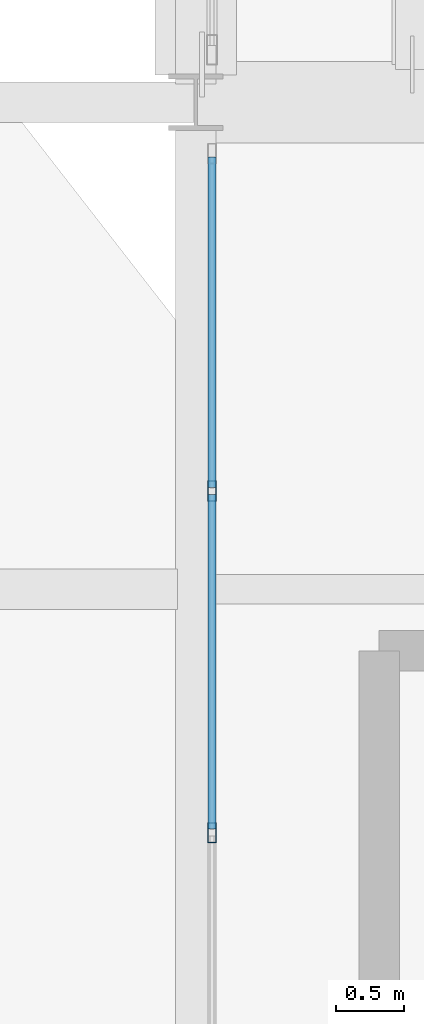
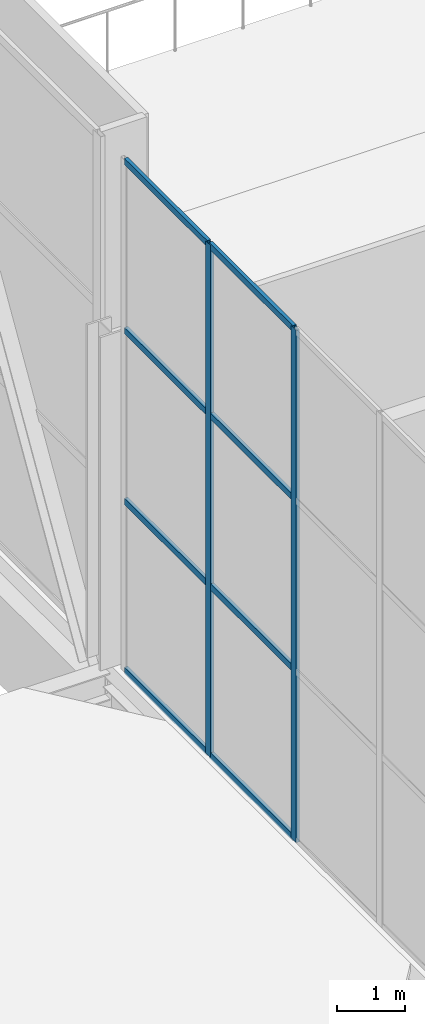
# One storey, part 28 of 191: 10 members, 1 element without a shape of its own.
"""IFC4 building model written with IfcOpenShell, lengths in metres."""

from ifc_helpers import new_model, si_unit, direction, frame, origin, origin_2d, place, context, subcontext, project, spatial, hollow_rectangle, extrude, material, layer, layer_set, material_profile, profile_set, type_object, element, aggregate, save


model = new_model("IFC4")

# Units and contexts
model_context = context("Model", 3, precision=1e-05, world=origin(), true_north=direction((0.0, 1.0)))
body_context = subcontext(model_context, "Body", "Model", "MODEL_VIEW")
ifc_project = project(units=[si_unit("LENGTHUNIT", "METRE"), si_unit("AREAUNIT", "SQUARE_METRE"), si_unit("VOLUMEUNIT", "CUBIC_METRE"), si_unit("PLANEANGLEUNIT", "RADIAN"), si_unit("MASSUNIT", "GRAM", prefix="KILO")], contexts=[model_context])

# Site, building, storey
site_placement = place(None, origin())
site = spatial("IfcSite", under=ifc_project, at=site_placement, CompositionType="ELEMENT")
building_placement = place(site_placement, origin())
building = spatial("IfcBuilding", under=site, at=building_placement, Name="Tamarisk Ironworks Central Station", CompositionType="ELEMENT")
storey_placement = place(building_placement, frame((0.0, 0.0, 6.60009765625)))
storey = spatial("IfcBuildingStorey", under=building, at=storey_placement, Name="L01", CompositionType="ELEMENT", Elevation=6.60009765625)

# Curtain wall, members
ifc_material = material(Name="Anodized aluminium alloy 6063-T6", Category="aluminium")
ifc_layer = layer(ifc_material, 0.179931640625)
ifc_layer_set = layer_set([ifc_layer], Name="Anodized aluminium alloy 6063-T6")
curtain_wall_type = type_object("IfcCurtainWallType", Name="CW-05", PredefinedType="USERDEFINED", material=ifc_layer_set)
curtain_wall_placement = place(storey_placement, origin())
curtain_wall = element("IfcCurtainWall", 1, at=curtain_wall_placement, inside=storey, type_object=curtain_wall_type, Name="Concourse W track-overlook curtain wall 01", ObjectType="GLAZED CURTAIN WALL", PredefinedType="USERDEFINED")
ifc_material_profile_1 = material_profile(ifc_material, hollow_rectangle(XDim=0.06005859375, YDim=0.14990234375, WallThickness=0.00341796875, at=origin_2d()), Name="ALUM 150x60")
ifc_profile_set_1 = profile_set([ifc_material_profile_1], Name="Anodized aluminium alloy 6063-T6")
member_type_1 = type_object("IfcMemberType", Name="CWM-03", PredefinedType="MULLION", material=ifc_profile_set_1)
member_1_placement = place(storey_placement, frame((54.1201171875, 16.199951171875, 0.0), z_axis=(0.0, 0.0, 1.0), x_axis=(-1.0, 0.0, 0.0)))
member_1 = element("IfcMember", 2, at=member_1_placement, type_object=member_type_1, Name="CW05 mullion 3", PredefinedType="MULLION", context=body_context, shape_type="SweptSolid", body=[
    extrude(hollow_rectangle(XDim=0.06005859375, YDim=0.14990234375, WallThickness=0.00341796875, at=origin_2d()), origin(), (0.0, 0.0, 1.0), 9.219970703125),
])
member_2_placement = place(storey_placement, frame((54.1201171875, 18.72509765625, 0.0), z_axis=(0.0, 0.0, 1.0), x_axis=(-1.0, 0.0, 0.0)))
member_2 = element("IfcMember", 3, at=member_2_placement, type_object=member_type_1, Name="CW05 mullion 4", PredefinedType="MULLION", context=body_context, shape_type="SweptSolid", body=[
    extrude(hollow_rectangle(XDim=0.06005859375, YDim=0.14990234375, WallThickness=0.00341796875, at=origin_2d()), origin(), (0.0, 0.0, 1.0), 9.219970703125),
])
ifc_material_profile_2 = material_profile(ifc_material, hollow_rectangle(XDim=0.06005859375, YDim=0.114990234375, WallThickness=0.00341796875, at=origin_2d()), Name="ALUM 115x60")
ifc_profile_set_2 = profile_set([ifc_material_profile_2], Name="Anodized aluminium alloy 6063-T6")
member_type_2 = type_object("IfcMemberType", Name="CWT-03", PredefinedType="USERDEFINED", material=ifc_profile_set_2)
member_3_placement = place(storey_placement, frame((54.1201171875, 16.22607421875, 0.02978515625), z_axis=(0.0, 1.0, 0.0), x_axis=(-1.0, 0.0, 0.0)))
member_3 = element("IfcMember", 4, at=member_3_placement, type_object=member_type_2, Name="CW05 transom 3.1", ObjectType="TRANSOM", PredefinedType="USERDEFINED", context=body_context, shape_type="SweptSolid", body=[
    extrude(hollow_rectangle(XDim=0.06005859375, YDim=0.114990234375, WallThickness=0.00341796875, at=origin_2d()), origin(), (0.0, 0.0, 1.0), 2.472900390625),
])
member_4_placement = place(storey_placement, frame((54.1201171875, 16.22607421875, 3.0732421875), z_axis=(0.0, 1.0, 0.0), x_axis=(-1.0, 0.0, 0.0)))
member_4 = element("IfcMember", 5, at=member_4_placement, type_object=member_type_2, Name="CW05 transom 3.2", ObjectType="TRANSOM", PredefinedType="USERDEFINED", context=body_context, shape_type="SweptSolid", body=[
    extrude(hollow_rectangle(XDim=0.06005859375, YDim=0.114990234375, WallThickness=0.00341796875, at=origin_2d()), origin(), (0.0, 0.0, 1.0), 2.472900390625),
])
member_5_placement = place(storey_placement, frame((54.1201171875, 16.22607421875, 6.146484375), z_axis=(0.0, 1.0, 0.0), x_axis=(-1.0, 0.0, 0.0)))
member_5 = element("IfcMember", 6, at=member_5_placement, type_object=member_type_2, Name="CW05 transom 3.3", ObjectType="TRANSOM", PredefinedType="USERDEFINED", context=body_context, shape_type="SweptSolid", body=[
    extrude(hollow_rectangle(XDim=0.06005859375, YDim=0.114990234375, WallThickness=0.00341796875, at=origin_2d()), origin(), (0.0, 0.0, 1.0), 2.472900390625),
])
member_6_placement = place(storey_placement, frame((54.1201171875, 16.22607421875, 9.18994140625), z_axis=(0.0, 1.0, 0.0), x_axis=(-1.0, 0.0, 0.0)))
member_6 = element("IfcMember", 7, at=member_6_placement, type_object=member_type_2, Name="CW05 transom 3.4", ObjectType="TRANSOM", PredefinedType="USERDEFINED", context=body_context, shape_type="SweptSolid", body=[
    extrude(hollow_rectangle(XDim=0.06005859375, YDim=0.114990234375, WallThickness=0.00341796875, at=origin_2d()), origin(), (0.0, 0.0, 1.0), 2.472900390625),
])
member_7_placement = place(storey_placement, frame((54.1201171875, 18.7509765625, 0.02978515625), z_axis=(0.0, 1.0, 0.0), x_axis=(-1.0, 0.0, 0.0)))
member_7 = element("IfcMember", 8, at=member_7_placement, type_object=member_type_2, Name="CW05 transom 4.1", ObjectType="TRANSOM", PredefinedType="USERDEFINED", context=body_context, shape_type="SweptSolid", body=[
    extrude(hollow_rectangle(XDim=0.06005859375, YDim=0.114990234375, WallThickness=0.00341796875, at=origin_2d()), origin(), (0.0, 0.0, 1.0), 2.443115234375),
])
member_8_placement = place(storey_placement, frame((54.1201171875, 18.7509765625, 3.0732421875), z_axis=(0.0, 1.0, 0.0), x_axis=(-1.0, 0.0, 0.0)))
member_8 = element("IfcMember", 9, at=member_8_placement, type_object=member_type_2, Name="CW05 transom 4.2", ObjectType="TRANSOM", PredefinedType="USERDEFINED", context=body_context, shape_type="SweptSolid", body=[
    extrude(hollow_rectangle(XDim=0.06005859375, YDim=0.114990234375, WallThickness=0.00341796875, at=origin_2d()), origin(), (0.0, 0.0, 1.0), 2.443115234375),
])
member_9_placement = place(storey_placement, frame((54.1201171875, 18.7509765625, 6.146484375), z_axis=(0.0, 1.0, 0.0), x_axis=(-1.0, 0.0, 0.0)))
member_9 = element("IfcMember", 10, at=member_9_placement, type_object=member_type_2, Name="CW05 transom 4.3", ObjectType="TRANSOM", PredefinedType="USERDEFINED", context=body_context, shape_type="SweptSolid", body=[
    extrude(hollow_rectangle(XDim=0.06005859375, YDim=0.114990234375, WallThickness=0.00341796875, at=origin_2d()), origin(), (0.0, 0.0, 1.0), 2.443115234375),
])
member_10_placement = place(storey_placement, frame((54.1201171875, 18.7509765625, 9.18994140625), z_axis=(0.0, 1.0, 0.0), x_axis=(-1.0, 0.0, 0.0)))
member_10 = element("IfcMember", 11, at=member_10_placement, type_object=member_type_2, Name="CW05 transom 4.4", ObjectType="TRANSOM", PredefinedType="USERDEFINED", context=body_context, shape_type="SweptSolid", body=[
    extrude(hollow_rectangle(XDim=0.06005859375, YDim=0.114990234375, WallThickness=0.00341796875, at=origin_2d()), origin(), (0.0, 0.0, 1.0), 2.443115234375),
])
aggregate(curtain_wall, [member_1, member_2, member_3, member_4, member_5, member_6, member_7, member_8, member_9, member_10])

save(model, "model.ifc")
